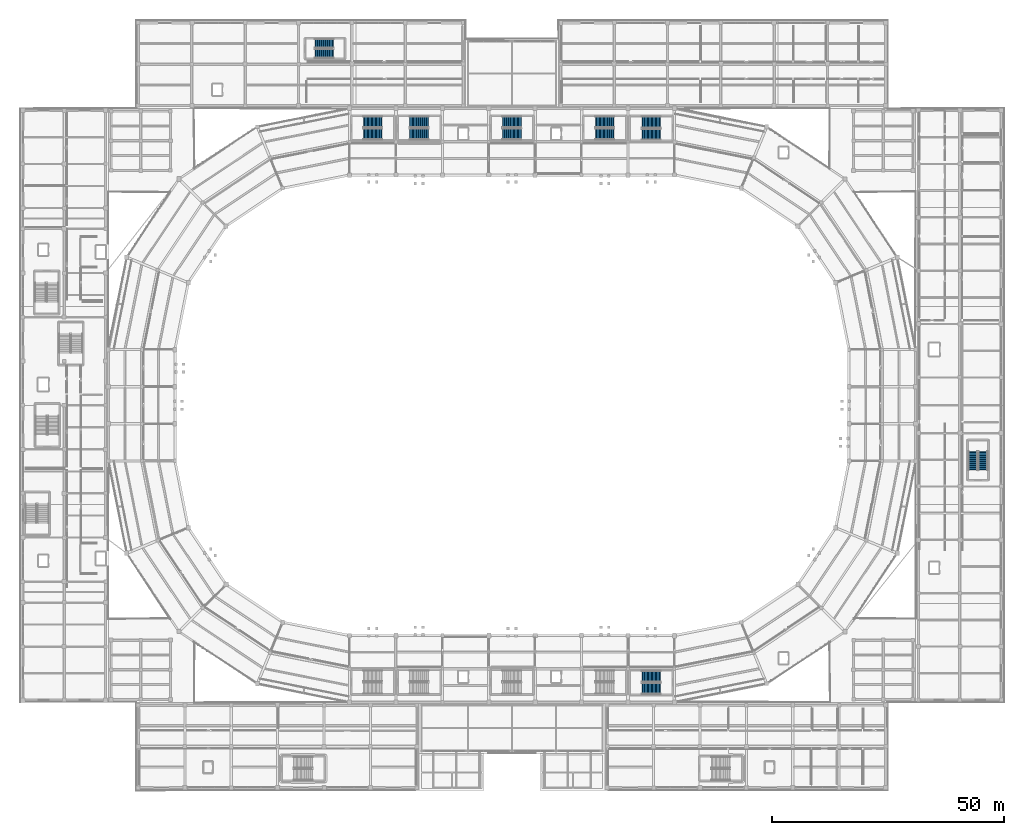
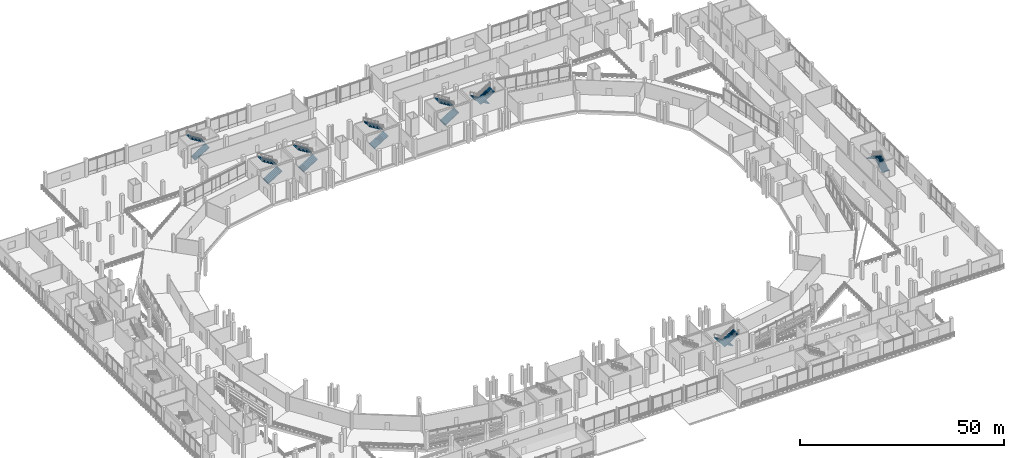
# One storey, part 87 of 114: 16 stair flights, 8 elements without a shape of their own.
"""IFC4 building model written with IfcOpenShell, lengths in metres."""

import ifcopenshell
import ifcopenshell.guid

model = None  # the IFC model being written
_history = None  # IfcOwnerHistory: only IFC2X3 demands one
_inside = {}  # id of a spatial element -> (the spatial element, [elements in it])
_under = {}  # id of a project, library or spatial element -> (it, [spatial elements below it])
_declared = {}  # id of a project -> (the project, [libraries it declares])
_typed = {}  # id of a type object -> (the type object, [elements of that type])
_made_of = {}  # id of a material, layer set ... -> (it, [elements and type objects made of it])


def new_model(schema):
    """Start an empty IFC model of exactly this schema.

    Asked for "IFC4X3", IfcOpenShell would pick the latest addendum, in which some entities
    have other attributes; the version numbers below select the first issue.
    IFC2X3 requires an IfcOwnerHistory on every rooted entity: one is made here for all.
    """
    global model, _history
    if schema == "IFC4X3":
        model = ifcopenshell.file(schema_version=(4, 3, 0, 0))
    else:
        model = ifcopenshell.file(schema=schema)
    _inside.clear()
    _under.clear()
    _declared.clear()
    _typed.clear()
    _made_of.clear()
    _history = None
    if model.schema == "IFC2X3":
        org = make("IfcOrganization", Name="unknown")
        user = make(
            "IfcPersonAndOrganization",
            ThePerson=make("IfcPerson", FamilyName="unknown"),
            TheOrganization=org,
        )
        app = make(
            "IfcApplication",
            ApplicationDeveloper=org,
            Version="unknown",
            ApplicationFullName="unknown",
            ApplicationIdentifier="unknown",
        )
        _history = make(
            "IfcOwnerHistory",
            OwningUser=user,
            OwningApplication=app,
            ChangeAction="ADDED",
            CreationDate=0,
        )
    return model


def make(cls, **values):
    """One entity of the class cls with the attributes given. An attribute that is None is left unset."""
    return model.create_entity(
        cls, **{name: value for name, value in values.items() if value is not None}
    )


def rooted(cls, **values):
    """An entity with a GlobalId (a new one), such as an element, a storey or a relation."""
    return make(cls, GlobalId=ifcopenshell.guid.new(), OwnerHistory=_history, **values)


def si_unit(unit_type, name, prefix=None):
    """IfcSIUnit, for example si_unit("LENGTHUNIT", "METRE", prefix="MILLI")."""
    return make("IfcSIUnit", UnitType=unit_type, Prefix=prefix, Name=name)


def assignment(units):
    """IfcUnitAssignment: the units of a project."""
    return None if units is None else make("IfcUnitAssignment", Units=units)


def point(xyz):
    """IfcCartesianPoint."""
    return None if xyz is None else make("IfcCartesianPoint", Coordinates=xyz)


def direction(xyz):
    """IfcDirection."""
    return None if xyz is None else make("IfcDirection", DirectionRatios=xyz)


def frame(location, z_axis=None, x_axis=None):
    """IfcAxis2Placement3D, a coordinate frame: its origin and axes. An axis left out is left unset."""
    return make(
        "IfcAxis2Placement3D",
        Location=point(location),
        Axis=direction(z_axis),
        RefDirection=direction(x_axis),
    )


def origin():
    """The frame at (0, 0, 0) with its axes left unset."""
    return frame((0.0, 0.0, 0.0))


def place(relative_to, where):
    """IfcLocalPlacement: puts the frame where relative to a parent placement (None: the world)."""
    return make(
        "IfcLocalPlacement", PlacementRelTo=relative_to, RelativePlacement=where
    )


def context(
    kind, dimensions, precision=None, world=None, true_north=None, identifier=None
):
    """IfcGeometricRepresentationContext, for example the 3D "Model" context."""
    return make(
        "IfcGeometricRepresentationContext",
        ContextIdentifier=identifier,
        ContextType=kind,
        CoordinateSpaceDimension=dimensions,
        Precision=precision,
        WorldCoordinateSystem=world,
        TrueNorth=true_north,
    )


def subcontext(parent, identifier, kind, view, scale=None):
    """IfcGeometricRepresentationSubContext, for example "Body" below "Model"."""
    return make(
        "IfcGeometricRepresentationSubContext",
        ContextIdentifier=identifier,
        ContextType=kind,
        ParentContext=parent,
        TargetScale=scale,
        TargetView=view,
    )


def project(units=None, contexts=None):
    """IfcProject with its units and contexts."""
    return rooted(
        "IfcProject",
        Name="project",
        RepresentationContexts=contexts,
        UnitsInContext=assignment(units),
    )


def spatial(cls, under=None, at=None, **own):
    """A site, building, storey or space (cls), placed at a placement, below another one or the project."""
    s = rooted(cls, ObjectPlacement=at, **own)
    if under is not None:
        _under.setdefault(under.id(), (under, []))[1].append(s)
    return s


def polyline(points):
    """IfcPolyline through the points."""
    return make("IfcPolyline", Points=[point(p) for p in points])


def outline(outer, holes=None, kind="AREA"):
    """IfcArbitraryClosedProfileDef: a profile drawn as a closed curve; with holes, ...WithVoids."""
    if holes is None:
        return make("IfcArbitraryClosedProfileDef", ProfileType=kind, OuterCurve=outer)
    return make(
        "IfcArbitraryProfileDefWithVoids",
        ProfileType=kind,
        OuterCurve=outer,
        InnerCurves=holes,
    )


def extrude(swept, where, along, depth):
    """IfcExtrudedAreaSolid: the profile swept, set in the frame where, extruded along a direction by depth."""
    return make(
        "IfcExtrudedAreaSolid",
        SweptArea=swept,
        Position=where,
        ExtrudedDirection=direction(along),
        Depth=depth,
    )


def shape(context_of_items, identifier, shape_type, items):
    """IfcShapeRepresentation: the items that make up one representation, for example the "Body"."""
    return make(
        "IfcShapeRepresentation",
        ContextOfItems=context_of_items,
        RepresentationIdentifier=identifier,
        RepresentationType=shape_type,
        Items=items,
    )


def material(Name=None, Category=None):
    """IfcMaterial."""
    return make("IfcMaterial", Name=Name, Category=Category)


def made_of(thing, what):
    """Note that an element or type object is made of a material, layer set ...; save() writes the relation."""
    if what is not None:
        _made_of.setdefault(what.id(), (what, []))[1].append(thing)
    return thing


def type_object(cls, material=None, **own):
    """A type object (cls), such as IfcWallType, which elements share."""
    return made_of(rooted(cls, **own), material)


def element(
    cls,
    number,
    at=None,
    inside=None,
    cuts=None,
    type_object=None,
    material=None,
    context=None,
    identifier="Body",
    shape_type=None,
    held_by="IfcProductDefinitionShape",
    body=None,
    shapes=None,
    **own,
):
    """One element of the class cls, such as IfcWall. Its Tag is "e" and its number.

    at: its placement. inside: the storey or other place that contains it. cuts: it is an
    opening in that element (IfcRelVoidsElement). A single representation is given by context,
    identifier, shape_type and body (its items); several are given by shapes. held_by: the class
    of the entity that holds the representations. save() writes the other relations.
    """
    e = rooted(cls, Tag="e%d" % number, ObjectPlacement=at, **own)
    if body is not None:
        shapes = [shape(context, identifier, shape_type, body)]
    if shapes is not None:
        e.Representation = make(held_by, Representations=shapes)
    if inside is not None:
        _inside.setdefault(inside.id(), (inside, []))[1].append(e)
    if cuts is not None:
        rooted(
            "IfcRelVoidsElement", RelatingBuildingElement=cuts, RelatedOpeningElement=e
        )
    if type_object is not None:
        _typed.setdefault(type_object.id(), (type_object, []))[1].append(e)
    return made_of(e, material)


def aggregate(whole, parts):
    """IfcRelAggregates: a whole, such as a stair, and the parts it consists of."""
    return rooted("IfcRelAggregates", RelatingObject=whole, RelatedObjects=parts)


def save(model, path):
    """Write the relations noted so far, then the file.

    IfcRelAggregates (storeys below a building ...), IfcRelContainedInSpatialStructure (elements
    in a storey), IfcRelDefinesByType, IfcRelAssociatesMaterial and IfcRelDeclares: one each for
    every whole, place, type object, material and project.
    """
    for whole, parts in _under.values():
        aggregate(whole, parts)
    for where, things in _inside.values():
        rooted(
            "IfcRelContainedInSpatialStructure",
            RelatedElements=things,
            RelatingStructure=where,
        )
    for kind, things in _typed.values():
        rooted("IfcRelDefinesByType", RelatedObjects=things, RelatingType=kind)
    for what, things in _made_of.values():
        rooted("IfcRelAssociatesMaterial", RelatedObjects=things, RelatingMaterial=what)
    for by, libraries in _declared.values():
        rooted("IfcRelDeclares", RelatingContext=by, RelatedDefinitions=libraries)
    model.write(path)


model = new_model("IFC4")

# Units and contexts
model_context = context("Model", 3, precision=1e-05, world=origin(), true_north=direction((0.0, 1.0)))
body_context = subcontext(model_context, "Body", "Model", "MODEL_VIEW")
ifc_project = project(units=[si_unit("LENGTHUNIT", "METRE"), si_unit("AREAUNIT", "SQUARE_METRE"), si_unit("VOLUMEUNIT", "CUBIC_METRE"), si_unit("PLANEANGLEUNIT", "RADIAN"), si_unit("MASSUNIT", "GRAM", prefix="KILO")], contexts=[model_context])

# Site, building, storey
site_placement = place(None, origin())
site = spatial("IfcSite", under=ifc_project, at=site_placement, CompositionType="ELEMENT")
building_placement = place(site_placement, origin())
building = spatial("IfcBuilding", under=site, at=building_placement, Name="Candeia Ridge Stadium", CompositionType="ELEMENT")
storey_placement = place(building_placement, frame((0.0, 0.0, 5.39990234375)))
storey = spatial("IfcBuildingStorey", under=building, at=storey_placement, Name="L01", CompositionType="ELEMENT", Elevation=5.39990234375)

# Stair, stair flights
ifc_material_1 = material(Name="Concrete C40/50", Category="concrete")
stair_type_1 = type_object("IfcStairType", Name="Enclosed Core Half-Turn Stair 2450", PredefinedType="HALF_TURN_STAIR", material=ifc_material_1)
stair_1_placement = place(storey_placement, origin())
stair_1 = element("IfcStair", 1, at=stair_1_placement, inside=storey, type_object=stair_type_1, Name="L01 Enclosed exit stair ST01", PredefinedType="HALF_TURN_STAIR")
ifc_material_2 = material(Name="Precast concrete C40/50", Category="concrete")
stair_flight_type_1 = type_object("IfcStairFlightType", Name="Core Precast Stair Flight 2450", PredefinedType="STRAIGHT", material=ifc_material_2)
stair_flight_1_placement = place(storey_placement, frame((73.949951171875, 141.425048828125, 0.0), z_axis=(0.0, 0.0, 1.0), x_axis=(1.0, 0.0, 0.0)))
stair_flight_1 = element("IfcStairFlight", 2, at=stair_flight_1_placement, type_object=stair_flight_type_1, Name="ST01 flight 1", NumberOfRisers=15, NumberOfTreads=14, PredefinedType="STRAIGHT", RiserHeight=0.18, TreadLength=0.29, context=body_context, shape_type="SweptSolid", body=[
    extrude(outline(polyline([(0.0, 0.0), (0.0, 0.179931640625), (0.2900390625, 0.179931640625), (0.2900390625, 0.360107421875), (0.580078125, 0.360107421875), (0.580078125, 0.5400390625), (0.8701171875, 0.5400390625), (0.8701171875, 0.719970703125), (1.159912109375, 0.719970703125), (1.159912109375, 0.89990234375), (1.449951171875, 0.89990234375), (1.449951171875, 1.080078125), (1.739990234375, 1.080078125), (1.739990234375, 1.260009765625), (2.030029296875, 1.260009765625), (2.030029296875, 1.43994140625), (2.320068359375, 1.43994140625), (2.320068359375, 1.6201171875), (2.610107421875, 1.6201171875), (2.610107421875, 1.800048828125), (2.89990234375, 1.800048828125), (2.89990234375, 1.97998046875), (3.18994140625, 1.97998046875), (3.18994140625, 2.159912109375), (3.47998046875, 2.159912109375), (3.47998046875, 2.340087890625), (3.77001953125, 2.340087890625), (3.77001953125, 2.52001953125), (4.06005859375, 2.52001953125), (4.06005859375, 2.699951171875), (4.06005859375, 2.331787109375), (0.30322265625, 0.0), (0.0, 0.0)])), frame((0.0, 1.22509765625, 0.0), z_axis=(0.0, -1.0, 0.0), x_axis=(1.0, 0.0, 0.0)), (0.0, 0.0, 1.0), 2.449951171875),
])
stair_flight_2_placement = place(storey_placement, frame((78.010009765625, 144.02490234375, 2.7001953125), z_axis=(0.0, 0.0, 1.0), x_axis=(-1.0, 0.0, 0.0)))
stair_flight_2 = element("IfcStairFlight", 3, at=stair_flight_2_placement, type_object=stair_flight_type_1, Name="ST01 flight 2", NumberOfRisers=15, NumberOfTreads=14, PredefinedType="STRAIGHT", RiserHeight=0.18, TreadLength=0.29, context=body_context, shape_type="SweptSolid", body=[
    extrude(outline(polyline([(0.0, 0.0), (0.0, 0.179931640625), (0.2900390625, 0.179931640625), (0.2900390625, 0.360107421875), (0.580078125, 0.360107421875), (0.580078125, 0.5400390625), (0.8701171875, 0.5400390625), (0.8701171875, 0.719970703125), (1.159912109375, 0.719970703125), (1.159912109375, 0.89990234375), (1.449951171875, 0.89990234375), (1.449951171875, 1.080078125), (1.739990234375, 1.080078125), (1.739990234375, 1.260009765625), (2.030029296875, 1.260009765625), (2.030029296875, 1.43994140625), (2.320068359375, 1.43994140625), (2.320068359375, 1.6201171875), (2.610107421875, 1.6201171875), (2.610107421875, 1.800048828125), (2.89990234375, 1.800048828125), (2.89990234375, 1.97998046875), (3.18994140625, 1.97998046875), (3.18994140625, 2.159912109375), (3.47998046875, 2.159912109375), (3.47998046875, 2.340087890625), (3.77001953125, 2.340087890625), (3.77001953125, 2.52001953125), (4.06005859375, 2.52001953125), (4.06005859375, 2.699951171875), (4.06005859375, 2.331787109375), (0.30322265625, 0.0), (0.0, 0.0)])), frame((0.0, 1.22509765625, 0.0), z_axis=(0.0, -1.0, 0.0), x_axis=(1.0, 0.0, 0.0)), (0.0, 0.0, 1.0), 2.449951171875),
])
aggregate(stair_1, [stair_flight_1, stair_flight_2])

stair_2_placement = place(storey_placement, origin())
stair_2 = element("IfcStair", 4, at=stair_2_placement, inside=storey, type_object=stair_type_1, Name="L01 Enclosed exit stair ST03", PredefinedType="HALF_TURN_STAIR")
stair_flight_3_placement = place(storey_placement, frame((138.050048828125, 24.574951171875, 0.0), z_axis=(0.0, 0.0, 1.0), x_axis=(-1.0, 0.0, 0.0)))
stair_flight_3 = element("IfcStairFlight", 5, at=stair_flight_3_placement, type_object=stair_flight_type_1, Name="ST03 flight 1", NumberOfRisers=15, NumberOfTreads=14, PredefinedType="STRAIGHT", RiserHeight=0.18, TreadLength=0.29, context=body_context, shape_type="SweptSolid", body=[
    extrude(outline(polyline([(0.0, 0.0), (0.0, 0.179931640625), (0.2900390625, 0.179931640625), (0.2900390625, 0.360107421875), (0.580078125, 0.360107421875), (0.580078125, 0.5400390625), (0.8701171875, 0.5400390625), (0.8701171875, 0.719970703125), (1.159912109375, 0.719970703125), (1.159912109375, 0.89990234375), (1.449951171875, 0.89990234375), (1.449951171875, 1.080078125), (1.739990234375, 1.080078125), (1.739990234375, 1.260009765625), (2.030029296875, 1.260009765625), (2.030029296875, 1.43994140625), (2.320068359375, 1.43994140625), (2.320068359375, 1.6201171875), (2.610107421875, 1.6201171875), (2.610107421875, 1.800048828125), (2.89990234375, 1.800048828125), (2.89990234375, 1.97998046875), (3.18994140625, 1.97998046875), (3.18994140625, 2.159912109375), (3.47998046875, 2.159912109375), (3.47998046875, 2.340087890625), (3.77001953125, 2.340087890625), (3.77001953125, 2.52001953125), (4.06005859375, 2.52001953125), (4.06005859375, 2.699951171875), (4.06005859375, 2.331787109375), (0.30322265625, 0.0), (0.0, 0.0)])), frame((0.0, 1.22509765625, 0.0), z_axis=(0.0, -1.0, 0.0), x_axis=(1.0, 0.0, 0.0)), (0.0, 0.0, 1.0), 2.449951171875),
])
stair_flight_4_placement = place(storey_placement, frame((133.989990234375, 21.97509765625, 2.7001953125), z_axis=(0.0, 0.0, 1.0), x_axis=(1.0, 0.0, 0.0)))
stair_flight_4 = element("IfcStairFlight", 6, at=stair_flight_4_placement, type_object=stair_flight_type_1, Name="ST03 flight 2", NumberOfRisers=15, NumberOfTreads=14, PredefinedType="STRAIGHT", RiserHeight=0.18, TreadLength=0.29, context=body_context, shape_type="SweptSolid", body=[
    extrude(outline(polyline([(0.0, 0.0), (0.0, 0.179931640625), (0.2900390625, 0.179931640625), (0.2900390625, 0.360107421875), (0.580078125, 0.360107421875), (0.580078125, 0.5400390625), (0.8701171875, 0.5400390625), (0.8701171875, 0.719970703125), (1.159912109375, 0.719970703125), (1.159912109375, 0.89990234375), (1.449951171875, 0.89990234375), (1.449951171875, 1.080078125), (1.739990234375, 1.080078125), (1.739990234375, 1.260009765625), (2.030029296875, 1.260009765625), (2.030029296875, 1.43994140625), (2.320068359375, 1.43994140625), (2.320068359375, 1.6201171875), (2.610107421875, 1.6201171875), (2.610107421875, 1.800048828125), (2.89990234375, 1.800048828125), (2.89990234375, 1.97998046875), (3.18994140625, 1.97998046875), (3.18994140625, 2.159912109375), (3.47998046875, 2.159912109375), (3.47998046875, 2.340087890625), (3.77001953125, 2.340087890625), (3.77001953125, 2.52001953125), (4.06005859375, 2.52001953125), (4.06005859375, 2.699951171875), (4.06005859375, 2.331787109375), (0.30322265625, 0.0), (0.0, 0.0)])), frame((0.0, 1.22509765625, 0.0), z_axis=(0.0, -1.0, 0.0), x_axis=(1.0, 0.0, 0.0)), (0.0, 0.0, 1.0), 2.449951171875),
])
aggregate(stair_2, [stair_flight_3, stair_flight_4])

stair_3_placement = place(storey_placement, origin())
stair_3 = element("IfcStair", 7, at=stair_3_placement, inside=storey, type_object=stair_type_1, Name="L01 Enclosed exit stair ST04", PredefinedType="HALF_TURN_STAIR")
stair_flight_5_placement = place(storey_placement, frame((138.050048828125, 143.97509765625, 0.0), z_axis=(0.0, 0.0, 1.0), x_axis=(-1.0, 0.0, 0.0)))
stair_flight_5 = element("IfcStairFlight", 8, at=stair_flight_5_placement, type_object=stair_flight_type_1, Name="ST04 flight 1", NumberOfRisers=15, NumberOfTreads=14, PredefinedType="STRAIGHT", RiserHeight=0.18, TreadLength=0.29, context=body_context, shape_type="SweptSolid", body=[
    extrude(outline(polyline([(0.0, 0.0), (0.0, 0.179931640625), (0.2900390625, 0.179931640625), (0.2900390625, 0.360107421875), (0.580078125, 0.360107421875), (0.580078125, 0.5400390625), (0.8701171875, 0.5400390625), (0.8701171875, 0.719970703125), (1.159912109375, 0.719970703125), (1.159912109375, 0.89990234375), (1.449951171875, 0.89990234375), (1.449951171875, 1.080078125), (1.739990234375, 1.080078125), (1.739990234375, 1.260009765625), (2.030029296875, 1.260009765625), (2.030029296875, 1.43994140625), (2.320068359375, 1.43994140625), (2.320068359375, 1.6201171875), (2.610107421875, 1.6201171875), (2.610107421875, 1.800048828125), (2.89990234375, 1.800048828125), (2.89990234375, 1.97998046875), (3.18994140625, 1.97998046875), (3.18994140625, 2.159912109375), (3.47998046875, 2.159912109375), (3.47998046875, 2.340087890625), (3.77001953125, 2.340087890625), (3.77001953125, 2.52001953125), (4.06005859375, 2.52001953125), (4.06005859375, 2.699951171875), (4.06005859375, 2.331787109375), (0.30322265625, 0.0), (0.0, 0.0)])), frame((0.0, 1.22509765625, 0.0), z_axis=(0.0, -1.0, 0.0), x_axis=(1.0, 0.0, 0.0)), (0.0, 0.0, 1.0), 2.449951171875),
])
stair_flight_6_placement = place(storey_placement, frame((133.989990234375, 141.375, 2.7001953125), z_axis=(0.0, 0.0, 1.0), x_axis=(1.0, 0.0, 0.0)))
stair_flight_6 = element("IfcStairFlight", 9, at=stair_flight_6_placement, type_object=stair_flight_type_1, Name="ST04 flight 2", NumberOfRisers=15, NumberOfTreads=14, PredefinedType="STRAIGHT", RiserHeight=0.18, TreadLength=0.29, context=body_context, shape_type="SweptSolid", body=[
    extrude(outline(polyline([(0.0, 0.0), (0.0, 0.179931640625), (0.2900390625, 0.179931640625), (0.2900390625, 0.360107421875), (0.580078125, 0.360107421875), (0.580078125, 0.5400390625), (0.8701171875, 0.5400390625), (0.8701171875, 0.719970703125), (1.159912109375, 0.719970703125), (1.159912109375, 0.89990234375), (1.449951171875, 0.89990234375), (1.449951171875, 1.080078125), (1.739990234375, 1.080078125), (1.739990234375, 1.260009765625), (2.030029296875, 1.260009765625), (2.030029296875, 1.43994140625), (2.320068359375, 1.43994140625), (2.320068359375, 1.6201171875), (2.610107421875, 1.6201171875), (2.610107421875, 1.800048828125), (2.89990234375, 1.800048828125), (2.89990234375, 1.97998046875), (3.18994140625, 1.97998046875), (3.18994140625, 2.159912109375), (3.47998046875, 2.159912109375), (3.47998046875, 2.340087890625), (3.77001953125, 2.340087890625), (3.77001953125, 2.52001953125), (4.06005859375, 2.52001953125), (4.06005859375, 2.699951171875), (4.06005859375, 2.331787109375), (0.30322265625, 0.0), (0.0, 0.0)])), frame((0.0, 1.22509765625, 0.0), z_axis=(0.0, -1.0, 0.0), x_axis=(1.0, 0.0, 0.0)), (0.0, 0.0, 1.0), 2.449951171875),
])
aggregate(stair_3, [stair_flight_5, stair_flight_6])

stair_4_placement = place(storey_placement, origin())
stair_4 = element("IfcStair", 10, at=stair_4_placement, inside=storey, type_object=stair_type_1, Name="L01 Enclosed exit stair ST09", PredefinedType="HALF_TURN_STAIR")
stair_flight_7_placement = place(storey_placement, frame((83.949951171875, 141.425048828125, 0.0), z_axis=(0.0, 0.0, 1.0), x_axis=(1.0, 0.0, 0.0)))
stair_flight_7 = element("IfcStairFlight", 11, at=stair_flight_7_placement, type_object=stair_flight_type_1, Name="ST09 flight 1", NumberOfRisers=15, NumberOfTreads=14, PredefinedType="STRAIGHT", RiserHeight=0.18, TreadLength=0.29, context=body_context, shape_type="SweptSolid", body=[
    extrude(outline(polyline([(0.0, 0.0), (0.0, 0.179931640625), (0.2900390625, 0.179931640625), (0.2900390625, 0.360107421875), (0.580078125, 0.360107421875), (0.580078125, 0.5400390625), (0.8701171875, 0.5400390625), (0.8701171875, 0.719970703125), (1.159912109375, 0.719970703125), (1.159912109375, 0.89990234375), (1.449951171875, 0.89990234375), (1.449951171875, 1.080078125), (1.739990234375, 1.080078125), (1.739990234375, 1.260009765625), (2.030029296875, 1.260009765625), (2.030029296875, 1.43994140625), (2.320068359375, 1.43994140625), (2.320068359375, 1.6201171875), (2.610107421875, 1.6201171875), (2.610107421875, 1.800048828125), (2.89990234375, 1.800048828125), (2.89990234375, 1.97998046875), (3.18994140625, 1.97998046875), (3.18994140625, 2.159912109375), (3.47998046875, 2.159912109375), (3.47998046875, 2.340087890625), (3.77001953125, 2.340087890625), (3.77001953125, 2.52001953125), (4.06005859375, 2.52001953125), (4.06005859375, 2.699951171875), (4.06005859375, 2.331787109375), (0.30322265625, 0.0), (0.0, 0.0)])), frame((0.0, 1.22509765625, 0.0), z_axis=(0.0, -1.0, 0.0), x_axis=(1.0, 0.0, 0.0)), (0.0, 0.0, 1.0), 2.449951171875),
])
stair_flight_8_placement = place(storey_placement, frame((88.010009765625, 144.02490234375, 2.7001953125), z_axis=(0.0, 0.0, 1.0), x_axis=(-1.0, 0.0, 0.0)))
stair_flight_8 = element("IfcStairFlight", 12, at=stair_flight_8_placement, type_object=stair_flight_type_1, Name="ST09 flight 2", NumberOfRisers=15, NumberOfTreads=14, PredefinedType="STRAIGHT", RiserHeight=0.18, TreadLength=0.29, context=body_context, shape_type="SweptSolid", body=[
    extrude(outline(polyline([(0.0, 0.0), (0.0, 0.179931640625), (0.2900390625, 0.179931640625), (0.2900390625, 0.360107421875), (0.580078125, 0.360107421875), (0.580078125, 0.5400390625), (0.8701171875, 0.5400390625), (0.8701171875, 0.719970703125), (1.159912109375, 0.719970703125), (1.159912109375, 0.89990234375), (1.449951171875, 0.89990234375), (1.449951171875, 1.080078125), (1.739990234375, 1.080078125), (1.739990234375, 1.260009765625), (2.030029296875, 1.260009765625), (2.030029296875, 1.43994140625), (2.320068359375, 1.43994140625), (2.320068359375, 1.6201171875), (2.610107421875, 1.6201171875), (2.610107421875, 1.800048828125), (2.89990234375, 1.800048828125), (2.89990234375, 1.97998046875), (3.18994140625, 1.97998046875), (3.18994140625, 2.159912109375), (3.47998046875, 2.159912109375), (3.47998046875, 2.340087890625), (3.77001953125, 2.340087890625), (3.77001953125, 2.52001953125), (4.06005859375, 2.52001953125), (4.06005859375, 2.699951171875), (4.06005859375, 2.331787109375), (0.30322265625, 0.0), (0.0, 0.0)])), frame((0.0, 1.22509765625, 0.0), z_axis=(0.0, -1.0, 0.0), x_axis=(1.0, 0.0, 0.0)), (0.0, 0.0, 1.0), 2.449951171875),
])
aggregate(stair_4, [stair_flight_7, stair_flight_8])

stair_5_placement = place(storey_placement, origin())
stair_5 = element("IfcStair", 13, at=stair_5_placement, inside=storey, type_object=stair_type_1, Name="L01 Enclosed exit stair ST10", PredefinedType="HALF_TURN_STAIR")
stair_flight_9_placement = place(storey_placement, frame((123.949951171875, 141.425048828125, 0.0), z_axis=(0.0, 0.0, 1.0), x_axis=(1.0, 0.0, 0.0)))
stair_flight_9 = element("IfcStairFlight", 14, at=stair_flight_9_placement, type_object=stair_flight_type_1, Name="ST10 flight 1", NumberOfRisers=15, NumberOfTreads=14, PredefinedType="STRAIGHT", RiserHeight=0.18, TreadLength=0.29, context=body_context, shape_type="SweptSolid", body=[
    extrude(outline(polyline([(0.0, 0.0), (0.0, 0.179931640625), (0.2900390625, 0.179931640625), (0.2900390625, 0.360107421875), (0.580078125, 0.360107421875), (0.580078125, 0.5400390625), (0.8701171875, 0.5400390625), (0.8701171875, 0.719970703125), (1.159912109375, 0.719970703125), (1.159912109375, 0.89990234375), (1.449951171875, 0.89990234375), (1.449951171875, 1.080078125), (1.739990234375, 1.080078125), (1.739990234375, 1.260009765625), (2.030029296875, 1.260009765625), (2.030029296875, 1.43994140625), (2.320068359375, 1.43994140625), (2.320068359375, 1.6201171875), (2.610107421875, 1.6201171875), (2.610107421875, 1.800048828125), (2.89990234375, 1.800048828125), (2.89990234375, 1.97998046875), (3.18994140625, 1.97998046875), (3.18994140625, 2.159912109375), (3.47998046875, 2.159912109375), (3.47998046875, 2.340087890625), (3.77001953125, 2.340087890625), (3.77001953125, 2.52001953125), (4.06005859375, 2.52001953125), (4.06005859375, 2.699951171875), (4.06005859375, 2.331787109375), (0.30322265625, 0.0), (0.0, 0.0)])), frame((0.0, 1.22509765625, 0.0), z_axis=(0.0, -1.0, 0.0), x_axis=(1.0, 0.0, 0.0)), (0.0, 0.0, 1.0), 2.449951171875),
])
stair_flight_10_placement = place(storey_placement, frame((128.010009765625, 144.02490234375, 2.7001953125), z_axis=(0.0, 0.0, 1.0), x_axis=(-1.0, 0.0, 0.0)))
stair_flight_10 = element("IfcStairFlight", 15, at=stair_flight_10_placement, type_object=stair_flight_type_1, Name="ST10 flight 2", NumberOfRisers=15, NumberOfTreads=14, PredefinedType="STRAIGHT", RiserHeight=0.18, TreadLength=0.29, context=body_context, shape_type="SweptSolid", body=[
    extrude(outline(polyline([(0.0, 0.0), (0.0, 0.179931640625), (0.2900390625, 0.179931640625), (0.2900390625, 0.360107421875), (0.580078125, 0.360107421875), (0.580078125, 0.5400390625), (0.8701171875, 0.5400390625), (0.8701171875, 0.719970703125), (1.159912109375, 0.719970703125), (1.159912109375, 0.89990234375), (1.449951171875, 0.89990234375), (1.449951171875, 1.080078125), (1.739990234375, 1.080078125), (1.739990234375, 1.260009765625), (2.030029296875, 1.260009765625), (2.030029296875, 1.43994140625), (2.320068359375, 1.43994140625), (2.320068359375, 1.6201171875), (2.610107421875, 1.6201171875), (2.610107421875, 1.800048828125), (2.89990234375, 1.800048828125), (2.89990234375, 1.97998046875), (3.18994140625, 1.97998046875), (3.18994140625, 2.159912109375), (3.47998046875, 2.159912109375), (3.47998046875, 2.340087890625), (3.77001953125, 2.340087890625), (3.77001953125, 2.52001953125), (4.06005859375, 2.52001953125), (4.06005859375, 2.699951171875), (4.06005859375, 2.331787109375), (0.30322265625, 0.0), (0.0, 0.0)])), frame((0.0, 1.22509765625, 0.0), z_axis=(0.0, -1.0, 0.0), x_axis=(1.0, 0.0, 0.0)), (0.0, 0.0, 1.0), 2.449951171875),
])
aggregate(stair_5, [stair_flight_9, stair_flight_10])

stair_6_placement = place(storey_placement, origin())
stair_6 = element("IfcStair", 16, at=stair_6_placement, inside=storey, type_object=stair_type_1, Name="L01 Enclosed exit stair ST17", PredefinedType="HALF_TURN_STAIR")
stair_flight_11_placement = place(storey_placement, frame((103.949951171875, 141.425048828125, 0.0), z_axis=(0.0, 0.0, 1.0), x_axis=(1.0, 0.0, 0.0)))
stair_flight_11 = element("IfcStairFlight", 17, at=stair_flight_11_placement, type_object=stair_flight_type_1, Name="ST17 flight 1", NumberOfRisers=15, NumberOfTreads=14, PredefinedType="STRAIGHT", RiserHeight=0.18, TreadLength=0.29, context=body_context, shape_type="SweptSolid", body=[
    extrude(outline(polyline([(0.0, 0.0), (0.0, 0.179931640625), (0.2900390625, 0.179931640625), (0.2900390625, 0.360107421875), (0.580078125, 0.360107421875), (0.580078125, 0.5400390625), (0.8701171875, 0.5400390625), (0.8701171875, 0.719970703125), (1.159912109375, 0.719970703125), (1.159912109375, 0.89990234375), (1.449951171875, 0.89990234375), (1.449951171875, 1.080078125), (1.739990234375, 1.080078125), (1.739990234375, 1.260009765625), (2.030029296875, 1.260009765625), (2.030029296875, 1.43994140625), (2.320068359375, 1.43994140625), (2.320068359375, 1.6201171875), (2.610107421875, 1.6201171875), (2.610107421875, 1.800048828125), (2.89990234375, 1.800048828125), (2.89990234375, 1.97998046875), (3.18994140625, 1.97998046875), (3.18994140625, 2.159912109375), (3.47998046875, 2.159912109375), (3.47998046875, 2.340087890625), (3.77001953125, 2.340087890625), (3.77001953125, 2.52001953125), (4.06005859375, 2.52001953125), (4.06005859375, 2.699951171875), (4.06005859375, 2.331787109375), (0.30322265625, 0.0), (0.0, 0.0)])), frame((0.0, 1.22509765625, 0.0), z_axis=(0.0, -1.0, 0.0), x_axis=(1.0, 0.0, 0.0)), (0.0, 0.0, 1.0), 2.449951171875),
])
stair_flight_12_placement = place(storey_placement, frame((108.010009765625, 144.02490234375, 2.7001953125), z_axis=(0.0, 0.0, 1.0), x_axis=(-1.0, 0.0, 0.0)))
stair_flight_12 = element("IfcStairFlight", 18, at=stair_flight_12_placement, type_object=stair_flight_type_1, Name="ST17 flight 2", NumberOfRisers=15, NumberOfTreads=14, PredefinedType="STRAIGHT", RiserHeight=0.18, TreadLength=0.29, context=body_context, shape_type="SweptSolid", body=[
    extrude(outline(polyline([(0.0, 0.0), (0.0, 0.179931640625), (0.2900390625, 0.179931640625), (0.2900390625, 0.360107421875), (0.580078125, 0.360107421875), (0.580078125, 0.5400390625), (0.8701171875, 0.5400390625), (0.8701171875, 0.719970703125), (1.159912109375, 0.719970703125), (1.159912109375, 0.89990234375), (1.449951171875, 0.89990234375), (1.449951171875, 1.080078125), (1.739990234375, 1.080078125), (1.739990234375, 1.260009765625), (2.030029296875, 1.260009765625), (2.030029296875, 1.43994140625), (2.320068359375, 1.43994140625), (2.320068359375, 1.6201171875), (2.610107421875, 1.6201171875), (2.610107421875, 1.800048828125), (2.89990234375, 1.800048828125), (2.89990234375, 1.97998046875), (3.18994140625, 1.97998046875), (3.18994140625, 2.159912109375), (3.47998046875, 2.159912109375), (3.47998046875, 2.340087890625), (3.77001953125, 2.340087890625), (3.77001953125, 2.52001953125), (4.06005859375, 2.52001953125), (4.06005859375, 2.699951171875), (4.06005859375, 2.331787109375), (0.30322265625, 0.0), (0.0, 0.0)])), frame((0.0, 1.22509765625, 0.0), z_axis=(0.0, -1.0, 0.0), x_axis=(1.0, 0.0, 0.0)), (0.0, 0.0, 1.0), 2.449951171875),
])
aggregate(stair_6, [stair_flight_11, stair_flight_12])

stair_type_2 = type_object("IfcStairType", Name="Enclosed Wing Half-Turn Stair 2000", PredefinedType="HALF_TURN_STAIR", material=ifc_material_1)
stair_7_placement = place(storey_placement, origin())
stair_7 = element("IfcStair", 19, at=stair_7_placement, inside=storey, type_object=stair_type_2, Name="L01 Enclosed exit stair ST15", PredefinedType="HALF_TURN_STAIR")
stair_flight_type_2 = type_object("IfcStairFlightType", Name="Wing Precast Stair Flight 2000", PredefinedType="STRAIGHT", material=ifc_material_2)
stair_flight_13_placement = place(storey_placement, frame((63.5, 158.800048828125, 0.0), z_axis=(0.0, 0.0, 1.0), x_axis=(1.0, 0.0, 0.0)))
stair_flight_13 = element("IfcStairFlight", 20, at=stair_flight_13_placement, type_object=stair_flight_type_2, Name="ST15 flight 1", NumberOfRisers=15, NumberOfTreads=14, PredefinedType="STRAIGHT", RiserHeight=0.18, TreadLength=0.29, context=body_context, shape_type="SweptSolid", body=[
    extrude(outline(polyline([(0.0, 0.0), (0.0, 0.179931640625), (0.2900390625, 0.179931640625), (0.2900390625, 0.360107421875), (0.580078125, 0.360107421875), (0.580078125, 0.5400390625), (0.8701171875, 0.5400390625), (0.8701171875, 0.719970703125), (1.159912109375, 0.719970703125), (1.159912109375, 0.89990234375), (1.449951171875, 0.89990234375), (1.449951171875, 1.080078125), (1.739990234375, 1.080078125), (1.739990234375, 1.260009765625), (2.030029296875, 1.260009765625), (2.030029296875, 1.43994140625), (2.320068359375, 1.43994140625), (2.320068359375, 1.6201171875), (2.610107421875, 1.6201171875), (2.610107421875, 1.800048828125), (2.89990234375, 1.800048828125), (2.89990234375, 1.97998046875), (3.18994140625, 1.97998046875), (3.18994140625, 2.159912109375), (3.47998046875, 2.159912109375), (3.47998046875, 2.340087890625), (3.77001953125, 2.340087890625), (3.77001953125, 2.52001953125), (4.06005859375, 2.52001953125), (4.06005859375, 2.699951171875), (4.06005859375, 2.331787109375), (0.30322265625, 0.0), (0.0, 0.0)])), frame((0.0, 1.0, 0.0), z_axis=(0.0, -1.0, 0.0), x_axis=(1.0, 0.0, 0.0)), (0.0, 0.0, 1.0), 2.0),
])
stair_flight_14_placement = place(storey_placement, frame((67.56005859375, 160.949951171875, 2.7001953125), z_axis=(0.0, 0.0, 1.0), x_axis=(-1.0, 0.0, 0.0)))
stair_flight_14 = element("IfcStairFlight", 21, at=stair_flight_14_placement, type_object=stair_flight_type_2, Name="ST15 flight 2", NumberOfRisers=15, NumberOfTreads=14, PredefinedType="STRAIGHT", RiserHeight=0.18, TreadLength=0.29, context=body_context, shape_type="SweptSolid", body=[
    extrude(outline(polyline([(0.0, 0.0), (0.0, 0.179931640625), (0.2900390625, 0.179931640625), (0.2900390625, 0.360107421875), (0.580078125, 0.360107421875), (0.580078125, 0.5400390625), (0.8701171875, 0.5400390625), (0.8701171875, 0.719970703125), (1.159912109375, 0.719970703125), (1.159912109375, 0.89990234375), (1.449951171875, 0.89990234375), (1.449951171875, 1.080078125), (1.739990234375, 1.080078125), (1.739990234375, 1.260009765625), (2.030029296875, 1.260009765625), (2.030029296875, 1.43994140625), (2.320068359375, 1.43994140625), (2.320068359375, 1.6201171875), (2.610107421875, 1.6201171875), (2.610107421875, 1.800048828125), (2.89990234375, 1.800048828125), (2.89990234375, 1.97998046875), (3.18994140625, 1.97998046875), (3.18994140625, 2.159912109375), (3.47998046875, 2.159912109375), (3.47998046875, 2.340087890625), (3.77001953125, 2.340087890625), (3.77001953125, 2.52001953125), (4.06005859375, 2.52001953125), (4.06005859375, 2.699951171875), (4.06005859375, 2.331787109375), (0.30322265625, 0.0), (0.0, 0.0)])), frame((0.0, 1.0, 0.0), z_axis=(0.0, -1.0, 0.0), x_axis=(1.0, 0.0, 0.0)), (0.0, 0.0, 1.0), 2.0),
])
aggregate(stair_7, [stair_flight_13, stair_flight_14])

stair_8_placement = place(storey_placement, origin())
stair_8 = element("IfcStair", 22, at=stair_8_placement, inside=storey, type_object=stair_type_2, Name="L01 Enclosed exit stair ST16", PredefinedType="HALF_TURN_STAIR")
stair_flight_15_placement = place(storey_placement, frame((207.5, 69.0, 0.0), z_axis=(0.0, 0.0, 1.0), x_axis=(0.0, 1.0, 0.0)))
stair_flight_15 = element("IfcStairFlight", 23, at=stair_flight_15_placement, type_object=stair_flight_type_2, Name="ST16 flight 1", NumberOfRisers=15, NumberOfTreads=14, PredefinedType="STRAIGHT", RiserHeight=0.18, TreadLength=0.29, context=body_context, shape_type="SweptSolid", body=[
    extrude(outline(polyline([(0.0, 0.0), (0.0, 0.179931640625), (0.2900390625, 0.179931640625), (0.2900390625, 0.360107421875), (0.580078125, 0.360107421875), (0.580078125, 0.5400390625), (0.8701171875, 0.5400390625), (0.8701171875, 0.719970703125), (1.159912109375, 0.719970703125), (1.159912109375, 0.89990234375), (1.449951171875, 0.89990234375), (1.449951171875, 1.080078125), (1.739990234375, 1.080078125), (1.739990234375, 1.260009765625), (2.030029296875, 1.260009765625), (2.030029296875, 1.43994140625), (2.320068359375, 1.43994140625), (2.320068359375, 1.6201171875), (2.610107421875, 1.6201171875), (2.610107421875, 1.800048828125), (2.89990234375, 1.800048828125), (2.89990234375, 1.97998046875), (3.18994140625, 1.97998046875), (3.18994140625, 2.159912109375), (3.47998046875, 2.159912109375), (3.47998046875, 2.340087890625), (3.77001953125, 2.340087890625), (3.77001953125, 2.52001953125), (4.06005859375, 2.52001953125), (4.06005859375, 2.699951171875), (4.06005859375, 2.331787109375), (0.30322265625, 0.0), (0.0, 0.0)])), frame((0.0, 1.0, 0.0), z_axis=(0.0, -1.0, 0.0), x_axis=(1.0, 0.0, 0.0)), (0.0, 0.0, 1.0), 2.0),
])
stair_flight_16_placement = place(storey_placement, frame((205.35009765625, 73.06005859375, 2.7001953125), z_axis=(0.0, 0.0, 1.0), x_axis=(0.0, -1.0, 0.0)))
stair_flight_16 = element("IfcStairFlight", 24, at=stair_flight_16_placement, type_object=stair_flight_type_2, Name="ST16 flight 2", NumberOfRisers=15, NumberOfTreads=14, PredefinedType="STRAIGHT", RiserHeight=0.18, TreadLength=0.29, context=body_context, shape_type="SweptSolid", body=[
    extrude(outline(polyline([(0.0, 0.0), (0.0, 0.179931640625), (0.2900390625, 0.179931640625), (0.2900390625, 0.360107421875), (0.580078125, 0.360107421875), (0.580078125, 0.5400390625), (0.8701171875, 0.5400390625), (0.8701171875, 0.719970703125), (1.159912109375, 0.719970703125), (1.159912109375, 0.89990234375), (1.449951171875, 0.89990234375), (1.449951171875, 1.080078125), (1.739990234375, 1.080078125), (1.739990234375, 1.260009765625), (2.030029296875, 1.260009765625), (2.030029296875, 1.43994140625), (2.320068359375, 1.43994140625), (2.320068359375, 1.6201171875), (2.610107421875, 1.6201171875), (2.610107421875, 1.800048828125), (2.89990234375, 1.800048828125), (2.89990234375, 1.97998046875), (3.18994140625, 1.97998046875), (3.18994140625, 2.159912109375), (3.47998046875, 2.159912109375), (3.47998046875, 2.340087890625), (3.77001953125, 2.340087890625), (3.77001953125, 2.52001953125), (4.06005859375, 2.52001953125), (4.06005859375, 2.699951171875), (4.06005859375, 2.331787109375), (0.30322265625, 0.0), (0.0, 0.0)])), frame((0.0, 1.0, 0.0), z_axis=(0.0, -1.0, 0.0), x_axis=(1.0, 0.0, 0.0)), (0.0, 0.0, 1.0), 2.0),
])
aggregate(stair_8, [stair_flight_15, stair_flight_16])

save(model, "model.ifc")
